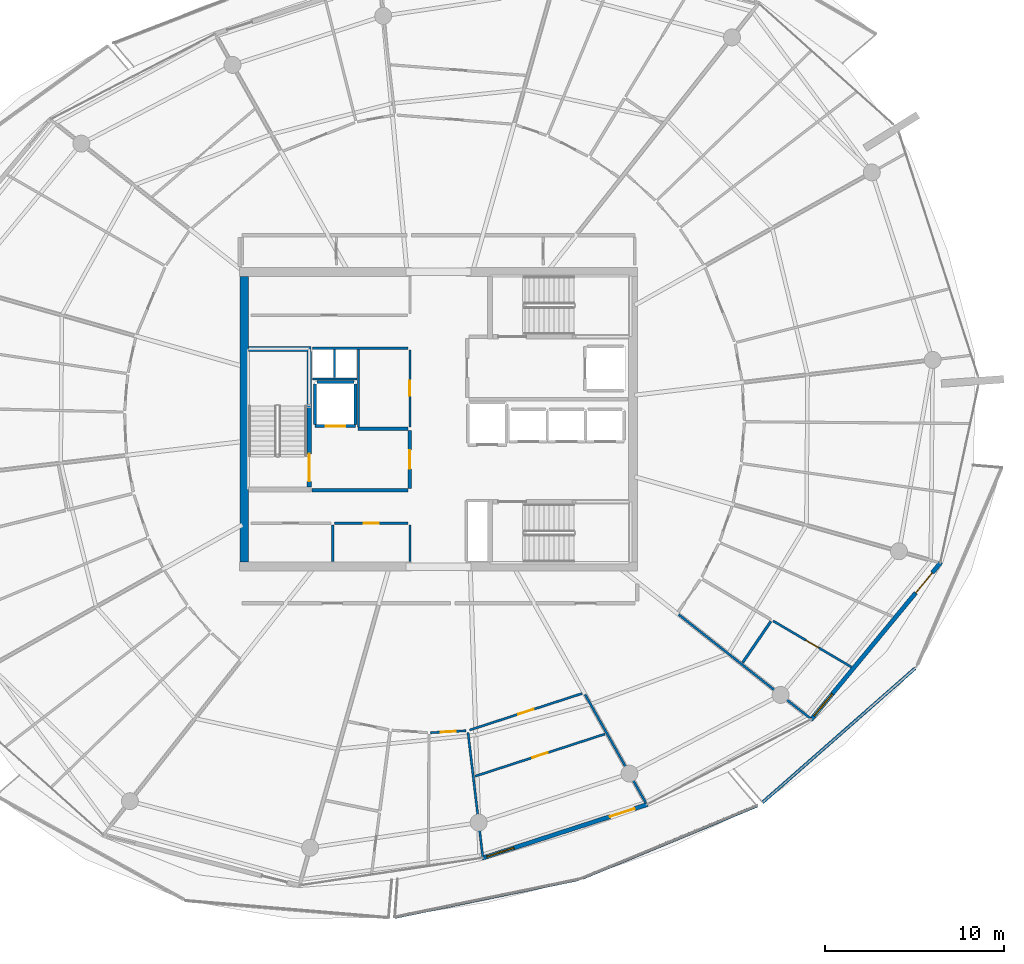
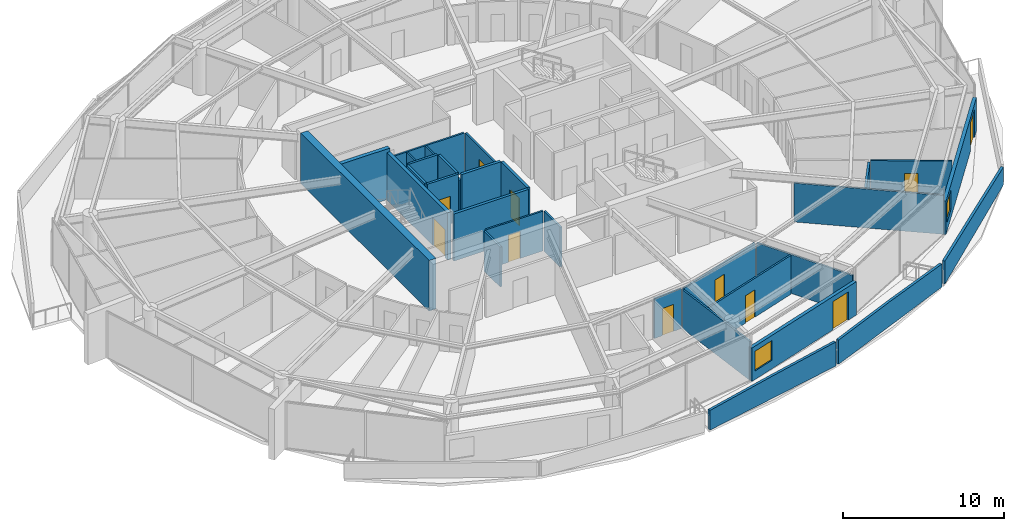
# One storey, part 19 of 30: 31 walls, 11 doors, 2 windows, 13 openings.
"""IFC4 building model written with IfcOpenShell, lengths in metres."""

from ifc_helpers import new_model, si_unit, direction, frame, frame_2d, origin, place, context, subcontext, project, spatial, polyline, rectangle, outline, extrude, material, layer, layer_set, type_object, element, fill, save


model = new_model("IFC4")

# Units and contexts
model_context = context("Model", 3, precision=1e-05, world=origin(), true_north=direction((0.0, 1.0)))
body_context = subcontext(model_context, "Body", "Model", "MODEL_VIEW")
ifc_project = project(units=[si_unit("LENGTHUNIT", "METRE"), si_unit("AREAUNIT", "SQUARE_METRE"), si_unit("VOLUMEUNIT", "CUBIC_METRE"), si_unit("PLANEANGLEUNIT", "RADIAN"), si_unit("MASSUNIT", "GRAM", prefix="KILO")], contexts=[model_context])

# Site, building, storey
site_placement = place(None, origin())
site = spatial("IfcSite", under=ifc_project, at=site_placement, CompositionType="ELEMENT")
building_placement = place(site_placement, origin())
building = spatial("IfcBuilding", under=site, at=building_placement, Name="Kazma Halo Residences", CompositionType="ELEMENT")
storey_placement = place(building_placement, frame((0.0, 0.0, 290.60009765625)))
storey = spatial("IfcBuildingStorey", under=building, at=storey_placement, Name="L73", CompositionType="ELEMENT", Elevation=290.60009765625)

# Walls
ifc_material_1 = material(Name="White Concrete C50/60 Balustrade", Category="concrete")
ifc_layer_1 = layer(ifc_material_1, 0.179931640625)
ifc_layer_set_1 = layer_set([ifc_layer_1], Name="White Concrete C50/60 Balustrade")
wall_type_1 = type_object("IfcWallType", Name="WL-BAL-WAVE-180", PredefinedType="PARAPET", material=ifc_layer_set_1)
wall_1_placement = place(storey_placement, frame((45.97900390625, 14.14453125, 0.0), z_axis=(0.0, 0.0, 1.0), x_axis=(0.979472745479, 0.201576637692, 0.0)))
element("IfcWall", 1, at=wall_1_placement, inside=storey, type_object=wall_type_1, Name="L73 white wave balustrade wall SSE.1", PredefinedType="PARAPET", context=body_context, shape_type="SweptSolid", body=[
    extrude(outline(polyline([(0.0, 0.0), (10.475341796875, 0.0), (10.4755859375, 1.831787109375), (5.23779296875, 1.69580078125), (0.0, 1.496826171875), (0.0, 0.0)])), frame((0.0, 0.08984375, 0.0), z_axis=(0.0, -1.0, 0.0), x_axis=(1.0, 0.0, 0.0)), (0.0, 0.0, 1.0), 0.179931640625),
])
wall_2_placement = place(storey_placement, frame((56.4677734375, 16.326416015625, 0.0), z_axis=(0.0, 0.0, 1.0), x_axis=(0.92394906856, 0.382515514336, 0.0)))
element("IfcWall", 2, at=wall_2_placement, inside=storey, type_object=wall_type_1, Name="L73 white wave balustrade wall SSE.2", PredefinedType="PARAPET", context=body_context, shape_type="SweptSolid", body=[
    extrude(outline(polyline([(0.0, 0.0), (10.580322265625, 0.0), (10.580322265625, 1.755859375), (5.290283203125, 1.852783203125), (0.0, 1.831787109375), (0.0, 0.0)])), frame((0.0, 0.08984375, 0.0), z_axis=(0.0, -1.0, 0.0), x_axis=(1.0, 0.0, 0.0)), (0.0, 0.0, 1.0), 0.179931640625),
])
wall_3_placement = place(storey_placement, frame((66.54833984375, 20.54931640625, 0.0), z_axis=(0.0, 0.0, 1.0), x_axis=(0.750904489888, 0.660410816891, 0.0)))
element("IfcWall", 3, at=wall_3_placement, inside=storey, type_object=wall_type_1, Name="L73 white wave balustrade wall SE.1", PredefinedType="PARAPET", context=body_context, shape_type="SweptSolid", body=[
    extrude(outline(polyline([(0.0, 0.0), (11.385009765625, 0.0), (11.385009765625, 1.347900390625), (5.6923828125, 1.56201171875), (0.0, 1.746826171875), (0.0, 0.0)])), frame((0.0, 0.08984375, 0.0), z_axis=(0.0, -1.0, 0.0), x_axis=(1.0, 0.0, 0.0)), (0.0, 0.0, 1.0), 0.179931640625),
])
ifc_material_2 = material(Name="Concrete C60/75", Category="concrete")
ifc_layer_2 = layer(ifc_material_2, 0.5)
ifc_layer_set_2 = layer_set([ifc_layer_2], Name="Concrete C60/75")
wall_type_2 = type_object("IfcWallType", Name="WL-CORE-500", PredefinedType="SHEAR", material=ifc_layer_set_2)
wall_4_placement = place(storey_placement, frame((37.550048828125, 34.0, 0.0), z_axis=(0.0, 0.0, 1.0), x_axis=(0.0, 1.0, 0.0)))
element("IfcWall", 4, at=wall_4_placement, inside=storey, type_object=wall_type_2, Name="L73 central core shear wall W", PredefinedType="SHEAR", context=body_context, shape_type="SweptSolid", body=[
    extrude(rectangle(XDim=16.0, YDim=0.5, at=frame_2d((8.0, 0.0))), origin(), (0.0, 0.0, 1.0), 3.849853515625),
])
ifc_layer_3 = layer(ifc_material_2, 0.280029296875)
ifc_layer_set_3 = layer_set([ifc_layer_3], Name="Concrete C60/75")
wall_type_3 = type_object("IfcWallType", Name="WL-CORE-ST-280", PredefinedType="SHEAR", material=ifc_layer_set_3)
wall_5_placement = place(storey_placement, frame((37.800048828125, 45.93994140625, 0.0), z_axis=(0.0, 0.0, 1.0), x_axis=(1.0, 0.0, 0.0)))
element("IfcWall", 5, at=wall_5_placement, inside=storey, type_object=wall_type_3, Name="L73 stairwell bearing wall ST01-N", PredefinedType="SHEAR", context=body_context, shape_type="SweptSolid", body=[
    extrude(rectangle(XDim=3.5, YDim=0.280029296875, at=frame_2d((1.75, 0.0))), origin(), (0.0, 0.0, 1.0), 3.849853515625),
])

# Wall, openings, door, window
ifc_material_3 = material(Name="Insulated Pale-Metal Composite Wall")
ifc_layer_4 = layer(ifc_material_3, 0.239990234375)
ifc_layer_set_4 = layer_set([ifc_layer_4], Name="Insulated Pale-Metal Composite Wall")
wall_type_4 = type_object("IfcWallType", Name="WL-EXT-HOST-240", PredefinedType="SOLIDWALL", material=ifc_layer_set_4)
wall_6_placement = place(storey_placement, frame((50.85791015625, 17.436279296875, 0.0), z_axis=(0.0, 0.0, 1.0), x_axis=(0.951055974609, 0.309018661507, 0.0)))
wall_6 = element("IfcWall", 6, at=wall_6_placement, inside=storey, type_object=wall_type_4, Name="L73 exterior terrace-access wall B12", PredefinedType="SOLIDWALL", context=body_context, shape_type="SweptSolid", body=[
    extrude(rectangle(XDim=9.745361328125, YDim=0.239990234375, at=frame_2d((4.87255859375, 0.0))), origin(), (0.0, 0.0, 1.0), 2.539794921875),
])
opening_1_placement = place(wall_6_placement, frame((7.525390625, 0.0, 0.0)))
opening_1 = element("IfcOpeningElement", 7, at=opening_1_placement, cuts=wall_6, Name="Opening DTR-1600", PredefinedType="OPENING", context=body_context, shape_type="SweptSolid", body=[
    extrude(rectangle(XDim=1.449951171875, YDim=2.14990234375, at=frame_2d((0.72509765625, 1.074951171875))), frame((0.0, 0.1298828125, 0.0), z_axis=(0.0, -1.0, 0.0), x_axis=(1.0, 0.0, 0.0)), (0.0, 0.0, 1.0), 0.260009765625),
])
opening_2_placement = place(wall_6_placement, frame((0.280029296875, 0.0, 0.64990234375)))
opening_2 = element("IfcOpeningElement", 8, at=opening_2_placement, cuts=wall_6, Name="Opening W-1800", PredefinedType="OPENING", context=body_context, shape_type="SweptSolid", body=[
    extrude(rectangle(XDim=1.60009765625, YDim=1.5, at=frame_2d((0.800048828125, 0.75))), frame((0.0, 0.1298828125, 0.0), z_axis=(0.0, -1.0, 0.0), x_axis=(1.0, 0.0, 0.0)), (0.0, 0.0, 1.0), 0.260009765625),
])
ifc_material_4 = material(Name="Aluminium AW-6063 T6 Double-Glazed Terrace Door", Category="aluminium")
door_type_1 = type_object("IfcDoorType", Name="DR-EXT-TERR-1600", OperationType="NOTDEFINED", PredefinedType="DOOR", material=ifc_material_4)
door_1_placement = place(opening_1_placement, origin())
door_1 = element("IfcDoor", 9, at=door_1_placement, inside=storey, type_object=door_type_1, Name="L73 B12 balcony terrace door", OperationType="DOUBLE_DOOR_SLIDING", OverallHeight=2.14990234375, OverallWidth=1.449951171875, PredefinedType="DOOR", context=body_context, shape_type="SweptSolid", body=[
    extrude(rectangle(XDim=1.449951171875, YDim=2.14990234375, at=frame_2d((0.72509765625, 1.074951171875))), frame((0.0, 0.02490234375, 0.0), z_axis=(0.0, -1.0, 0.0), x_axis=(1.0, 0.0, 0.0)), (0.0, 0.0, 1.0), 0.050048828125),
])
fill(opening_1, door_1)
ifc_material_5 = material(Name="Clear Triple-Silver Low-E Glass in Aluminium AW-6063 T6 Frame", Category="aluminium")
window_type = type_object("IfcWindowType", Name="WIN-RES-1800", PartitioningType="DOUBLE_PANEL_VERTICAL", PredefinedType="WINDOW", material=ifc_material_5)
window_1_placement = place(opening_2_placement, origin())
window_1 = element("IfcWindow", 10, at=window_1_placement, inside=storey, type_object=window_type, Name="L73 B12 apartment window", OverallHeight=1.5, OverallWidth=1.60009765625, PartitioningType="SINGLE_PANEL", PredefinedType="WINDOW", context=body_context, shape_type="SweptSolid", body=[
    extrude(rectangle(XDim=1.60009765625, YDim=1.5, at=frame_2d((0.800048828125, 0.75))), frame((0.0, 0.030029296875, 0.0), z_axis=(0.0, -1.0, 0.0), x_axis=(1.0, 0.0, 0.0)), (0.0, 0.0, 1.0), 0.06005859375),
])
fill(opening_2, window_1)

wall_7_placement = place(storey_placement, frame((69.2578125, 25.177978515625, 0.0), z_axis=(0.0, 0.0, 1.0), x_axis=(0.636680093065, 0.771128043255, 0.0)))
wall_7 = element("IfcWall", 11, at=wall_7_placement, inside=storey, type_object=wall_type_4, Name="L73 exterior terrace-access wall B14", PredefinedType="SOLIDWALL", context=body_context, shape_type="SweptSolid", body=[
    extrude(rectangle(XDim=11.438232421875, YDim=0.239990234375, at=frame_2d((5.71923828125, 0.0))), origin(), (0.0, 0.0, 1.0), 2.539794921875),
])
opening_3_placement = place(wall_7_placement, frame((9.21826171875, 0.0, 0.0)))
opening_3 = element("IfcOpeningElement", 12, at=opening_3_placement, cuts=wall_7, Name="Opening DTR-1600", PredefinedType="OPENING", context=body_context, shape_type="SweptSolid", body=[
    extrude(rectangle(XDim=1.449951171875, YDim=2.14990234375, at=frame_2d((0.72509765625, 1.074951171875))), frame((0.0, 0.1298828125, 0.0), z_axis=(0.0, -1.0, 0.0), x_axis=(1.0, 0.0, 0.0)), (0.0, 0.0, 1.0), 0.260009765625),
])
opening_4_placement = place(wall_7_placement, frame((0.280029296875, 0.0, 0.64990234375)))
opening_4 = element("IfcOpeningElement", 13, at=opening_4_placement, cuts=wall_7, Name="Opening W-1800", PredefinedType="OPENING", context=body_context, shape_type="SweptSolid", body=[
    extrude(rectangle(XDim=1.60009765625, YDim=1.5, at=frame_2d((0.800048828125, 0.75))), frame((0.0, 0.1298828125, 0.0), z_axis=(0.0, -1.0, 0.0), x_axis=(1.0, 0.0, 0.0)), (0.0, 0.0, 1.0), 0.260009765625),
])
door_2_placement = place(opening_3_placement, origin())
door_2 = element("IfcDoor", 14, at=door_2_placement, inside=storey, type_object=door_type_1, Name="L73 B14 balcony terrace door", OperationType="DOUBLE_DOOR_SLIDING", OverallHeight=2.14990234375, OverallWidth=1.449951171875, PredefinedType="DOOR", context=body_context, shape_type="SweptSolid", body=[
    extrude(rectangle(XDim=1.449951171875, YDim=2.14990234375, at=frame_2d((0.72509765625, 1.074951171875))), frame((0.0, 0.02490234375, 0.0), z_axis=(0.0, -1.0, 0.0), x_axis=(1.0, 0.0, 0.0)), (0.0, 0.0, 1.0), 0.050048828125),
])
fill(opening_3, door_2)
window_2_placement = place(opening_4_placement, origin())
window_2 = element("IfcWindow", 15, at=window_2_placement, inside=storey, type_object=window_type, Name="L73 B14 apartment window", OverallHeight=1.5, OverallWidth=1.60009765625, PartitioningType="SINGLE_PANEL", PredefinedType="WINDOW", context=body_context, shape_type="SweptSolid", body=[
    extrude(rectangle(XDim=1.60009765625, YDim=1.5, at=frame_2d((0.800048828125, 0.75))), frame((0.0, 0.030029296875, 0.0), z_axis=(0.0, -1.0, 0.0), x_axis=(1.0, 0.0, 0.0)), (0.0, 0.0, 1.0), 0.06005859375),
])
fill(opening_4, window_2)

# Wall, opening, door
ifc_material_6 = material(Name="Fire-Rated Blockwork Masonry", Category="masonry")
ifc_layer_5 = layer(ifc_material_6, 0.199951171875)
ifc_layer_set_5 = layer_set([ifc_layer_5], Name="Fire-Rated Blockwork Masonry")
wall_type_5 = type_object("IfcWallType", Name="WL-FLB-200", PredefinedType="PARTITIONING", material=ifc_layer_set_5)
wall_8_placement = place(storey_placement, frame((43.780029296875, 41.6201171875, 0.0), z_axis=(0.0, 0.0, 1.0), x_axis=(-1.0, 0.0, 0.0)))
wall_8 = element("IfcWall", 16, at=wall_8_placement, inside=storey, type_object=wall_type_5, Name="L73 lift shaft FL-01 front wall", PredefinedType="PARTITIONING", context=body_context, shape_type="SweptSolid", body=[
    extrude(rectangle(XDim=2.260009765625, YDim=0.159912109375, at=frame_2d((1.1298828125, 0.0))), origin(), (0.0, 0.0, 1.0), 3.58984375),
])
opening_5_placement = place(wall_8_placement, frame((0.580078125, 0.0, 0.0)))
opening_5 = element("IfcOpeningElement", 17, at=opening_5_placement, cuts=wall_8, Name="Opening LD-FL-01", PredefinedType="OPENING", context=body_context, shape_type="SweptSolid", body=[
    extrude(rectangle(XDim=1.10009765625, YDim=2.10009765625, at=frame_2d((0.550048828125, 1.050048828125))), frame((0.0, 0.08984375, 0.0), z_axis=(0.0, -1.0, 0.0), x_axis=(1.0, 0.0, 0.0)), (0.0, 0.0, 1.0), 0.179931640625),
])
ifc_material_7 = material(Name="Stainless Steel Fire-Rated", Category="steel")
door_type_2 = type_object("IfcDoorType", Name="DR-LIFT-SLD-1100", OperationType="DOUBLE_DOOR_SLIDING", PredefinedType="DOOR", material=ifc_material_7)
door_3_placement = place(opening_5_placement, origin())
door_3 = element("IfcDoor", 18, at=door_3_placement, inside=storey, type_object=door_type_2, Name="L73 lift FL-01 sliding landing door", OperationType="DOUBLE_DOOR_SLIDING", OverallHeight=2.10009765625, OverallWidth=1.10009765625, PredefinedType="DOOR", context=body_context, shape_type="SweptSolid", body=[
    extrude(rectangle(XDim=1.10009765625, YDim=2.10009765625, at=frame_2d((0.550048828125, 1.050048828125))), frame((0.0, 0.02490234375, 0.0), z_axis=(0.0, -1.0, 0.0), x_axis=(1.0, 0.0, 0.0)), (0.0, 0.0, 1.0), 0.050048828125),
])
fill(opening_5, door_3)

# Walls
for number, where, z_axis, x_axis, name in (
    (19, (43.780029296875, 41.719970703125, 0.0), (0.0, 0.0, 1.0), (0.0, 1.0, 0.0), "L73 lift shaft FL-01 side wall E"),
    (20, (41.52001953125, 41.719970703125, 0.0), (0.0, 0.0, 1.0), (0.0, 1.0, 0.0), "L73 lift shaft FL-01 side wall W"),
):
    element("IfcWall", number, at=place(storey_placement, frame(where, z_axis=z_axis, x_axis=x_axis)), inside=storey, type_object=wall_type_5, Name=name, PredefinedType="PARTITIONING", context=body_context, shape_type="SweptSolid", body=[
        extrude(rectangle(XDim=2.260009765625, YDim=0.159912109375, at=frame_2d((1.1298828125, 0.0))), origin(), (0.0, 0.0, 1.0), 3.58984375),
    ])
wall_9_placement = place(storey_placement, frame((41.6201171875, 44.080078125, 0.0), z_axis=(0.0, 0.0, 1.0), x_axis=(1.0, 0.0, 0.0)))
element("IfcWall", 21, at=wall_9_placement, inside=storey, type_object=wall_type_5, Name="L73 lift shaft FL-01 side wall N", PredefinedType="PARTITIONING", context=body_context, shape_type="SweptSolid", body=[
    extrude(rectangle(XDim=2.059814453125, YDim=0.159912109375, at=frame_2d((1.02978515625, 0.0))), origin(), (0.0, 0.0, 1.0), 3.58984375),
])
wall_10_placement = place(storey_placement, frame((41.35009765625, 38.02001953125, 0.0), z_axis=(0.0, 0.0, 1.0), x_axis=(1.0, 0.0, 0.0)))
element("IfcWall", 22, at=wall_10_placement, inside=storey, type_object=wall_type_5, Name="L73 west firefighting lobby south smoke wall", PredefinedType="PARTITIONING", context=body_context, shape_type="SweptSolid", body=[
    extrude(rectangle(XDim=5.369873046875, YDim=0.199951171875, at=frame_2d((2.68505859375, 0.0))), origin(), (0.0, 0.0, 1.0), 3.58984375),
])
wall_11_placement = place(storey_placement, frame((43.919921875, 41.47998046875, 0.0), z_axis=(0.0, 0.0, 1.0), x_axis=(1.0, 0.0, 0.0)))
element("IfcWall", 23, at=wall_11_placement, inside=storey, type_object=wall_type_5, Name="L73 west firefighting lobby north smoke wall", PredefinedType="PARTITIONING", context=body_context, shape_type="SweptSolid", body=[
    extrude(rectangle(XDim=2.800048828125, YDim=0.199951171875, at=frame_2d((1.39990234375, 0.0))), origin(), (0.0, 0.0, 1.0), 3.58984375),
])

# Wall, opening, door
wall_12_placement = place(storey_placement, frame((46.820068359375, 38.1201171875, 0.0), z_axis=(0.0, 0.0, 1.0), x_axis=(0.0, 1.0, 0.0)))
wall_12 = element("IfcWall", 24, at=wall_12_placement, inside=storey, type_object=wall_type_5, Name="L73 west firefighting lobby smoke wall", PredefinedType="PARTITIONING", context=body_context, shape_type="SweptSolid", body=[
    extrude(rectangle(XDim=3.259765625, YDim=0.199951171875, at=frame_2d((1.6298828125, 0.0))), origin(), (0.0, 0.0, 1.0), 3.58984375),
])
opening_6_placement = place(wall_12_placement, frame((1.10498046875, 0.0, 0.0)))
opening_6 = element("IfcOpeningElement", 25, at=opening_6_placement, cuts=wall_12, Name="Opening D-FLW", PredefinedType="OPENING", context=body_context, shape_type="SweptSolid", body=[
    extrude(rectangle(XDim=1.050048828125, YDim=2.10009765625, at=frame_2d((0.52490234375, 1.050048828125))), frame((0.0, 0.10986328125, 0.0), z_axis=(0.0, -1.0, 0.0), x_axis=(1.0, 0.0, 0.0)), (0.0, 0.0, 1.0), 0.219970703125),
])
ifc_material_8 = material(Name="Fire-Rated Steel Leaf", Category="steel")
door_type_3 = type_object("IfcDoorType", Name="DR-FD90-1050", OperationType="NOTDEFINED", PredefinedType="DOOR", material=ifc_material_8)
door_4_placement = place(opening_6_placement, origin())
door_4 = element("IfcDoor", 26, at=door_4_placement, inside=storey, type_object=door_type_3, Name="L73 west firefighting lobby smoke door", OperationType="SINGLE_SWING_RIGHT", OverallHeight=2.10009765625, OverallWidth=1.050048828125, PredefinedType="DOOR", context=body_context, shape_type="SweptSolid", body=[
    extrude(rectangle(XDim=1.050048828125, YDim=2.10009765625, at=frame_2d((0.52490234375, 1.050048828125))), frame((0.0, 0.02490234375, 0.0), z_axis=(0.0, -1.0, 0.0), x_axis=(1.0, 0.0, 0.0)), (0.0, 0.0, 1.0), 0.050048828125),
])
fill(opening_6, door_4)

# Walls
ifc_material_9 = material(Name="Gypsum Plasterboard Partition")
ifc_layer_6 = layer(ifc_material_9, 0.125)
ifc_layer_set_6 = layer_set([ifc_layer_6], Name="Gypsum Plasterboard Partition")
wall_type_6 = type_object("IfcWallType", Name="WL-PART-125", PredefinedType="PARTITIONING", material=ifc_layer_set_6)
for number, where, z_axis, x_axis, name in (
    (27, (46.820068359375, 34.050048828125, 0.0), (0.0, 0.0, 1.0), (0.0, 1.0, 0.0), "L73 reclaimed south east wall"),
    (28, (42.5, 34.050048828125, 0.0), (0.0, 0.0, 1.0), (0.0, 1.0, 0.0), "L73 reclaimed south divider wall"),
):
    element("IfcWall", number, at=place(storey_placement, frame(where, z_axis=z_axis, x_axis=x_axis)), inside=storey, type_object=wall_type_6, Name=name, PredefinedType="PARTITIONING", context=body_context, shape_type="SweptSolid", body=[
        extrude(rectangle(XDim=2.030029296875, YDim=0.125, at=frame_2d((1.01513671875, 0.0))), origin(), (0.0, 0.0, 1.0), 3.02978515625),
    ])

# Wall, opening, door
wall_13_placement = place(storey_placement, frame((42.60009765625, 36.179931640625, 0.0), z_axis=(0.0, 0.0, 1.0), x_axis=(1.0, 0.0, 0.0)))
wall_13 = element("IfcWall", 29, at=wall_13_placement, inside=storey, type_object=wall_type_6, Name="L73 reclaimed south E front wall", PredefinedType="PARTITIONING", context=body_context, shape_type="SweptSolid", body=[
    extrude(rectangle(XDim=4.119873046875, YDim=0.125, at=frame_2d((2.06005859375, 0.0))), origin(), (0.0, 0.0, 1.0), 3.02978515625),
])
opening_7_placement = place(wall_13_placement, frame((1.635009765625, 0.0, 0.0)))
opening_7 = element("IfcOpeningElement", 30, at=opening_7_placement, cuts=wall_13, Name="Opening DS-850", PredefinedType="OPENING", context=body_context, shape_type="SweptSolid", body=[
    extrude(rectangle(XDim=0.85009765625, YDim=2.06005859375, at=frame_2d((0.425048828125, 1.030029296875))), frame((0.0, 0.072509765625, 0.0), z_axis=(0.0, -1.0, 0.0), x_axis=(1.0, 0.0, 0.0)), (0.0, 0.0, 1.0), 0.14501953125),
])
ifc_material_10 = material(Name="Painted Steel Access Leaf", Category="steel")
door_type_4 = type_object("IfcDoorType", Name="DR-SVC-850", OperationType="NOTDEFINED", PredefinedType="DOOR", material=ifc_material_10)
door_5_placement = place(opening_7_placement, origin())
door_5 = element("IfcDoor", 31, at=door_5_placement, inside=storey, type_object=door_type_4, Name="L73 reclaimed south E door", OperationType="SINGLE_SWING_LEFT", OverallHeight=2.06005859375, OverallWidth=0.85009765625, PredefinedType="DOOR", context=body_context, shape_type="SweptSolid", body=[
    extrude(rectangle(XDim=0.85009765625, YDim=2.06005859375, at=frame_2d((0.425048828125, 1.030029296875))), frame((0.0, 0.02490234375, 0.0), z_axis=(0.0, -1.0, 0.0), x_axis=(1.0, 0.0, 0.0)), (0.0, 0.0, 1.0), 0.050048828125),
])
fill(opening_7, door_5)

# Walls
wall_14_placement = place(storey_placement, frame((41.360107421875, 45.97998046875, 0.0), z_axis=(0.0, 0.0, 1.0), x_axis=(1.0, 0.0, 0.0)))
element("IfcWall", 32, at=wall_14_placement, inside=storey, type_object=wall_type_6, Name="L73 core north riser wall", PredefinedType="PARTITIONING", context=body_context, shape_type="SweptSolid", body=[
    extrude(rectangle(XDim=5.35986328125, YDim=0.125, at=frame_2d((2.679931640625, 0.0))), origin(), (0.0, 0.0, 1.0), 3.02978515625),
])
wall_15_placement = place(storey_placement, frame((41.360107421875, 44.260009765625, 0.0), z_axis=(0.0, 0.0, 1.0), x_axis=(1.0, 0.0, 0.0)))
element("IfcWall", 33, at=wall_15_placement, inside=storey, type_object=wall_type_6, Name="L73 core riser south wall", PredefinedType="PARTITIONING", context=body_context, shape_type="SweptSolid", body=[
    extrude(rectangle(XDim=2.5, YDim=0.125, at=frame_2d((1.25, 0.0))), origin(), (0.0, 0.0, 1.0), 3.02978515625),
])
wall_16_placement = place(storey_placement, frame((42.60009765625, 44.35009765625, 0.0), z_axis=(0.0, 0.0, 1.0), x_axis=(0.0, 1.0, 0.0)))
element("IfcWall", 34, at=wall_16_placement, inside=storey, type_object=wall_type_6, Name="L73 core riser divider wall", PredefinedType="PARTITIONING", context=body_context, shape_type="SweptSolid", body=[
    extrude(rectangle(XDim=1.5498046875, YDim=0.125, at=frame_2d((0.77490234375, 0.0))), origin(), (0.0, 0.0, 1.0), 3.02978515625),
])
wall_17_placement = place(storey_placement, frame((43.949951171875, 41.580078125, 0.0), z_axis=(0.0, 0.0, 1.0), x_axis=(0.0, 1.0, 0.0)))
element("IfcWall", 35, at=wall_17_placement, inside=storey, type_object=wall_type_6, Name="L73 core service west wall", PredefinedType="PARTITIONING", context=body_context, shape_type="SweptSolid", body=[
    extrude(rectangle(XDim=4.31982421875, YDim=0.125, at=frame_2d((2.159912109375, 0.0))), origin(), (0.0, 0.0, 1.0), 3.02978515625),
])

# Wall, opening, door
wall_18_placement = place(storey_placement, frame((46.820068359375, 41.580078125, 0.0), z_axis=(0.0, 0.0, 1.0), x_axis=(0.0, 1.0, 0.0)))
wall_18 = element("IfcWall", 36, at=wall_18_placement, inside=storey, type_object=wall_type_6, Name="L73 core service room east wall", PredefinedType="PARTITIONING", context=body_context, shape_type="SweptSolid", body=[
    extrude(rectangle(XDim=4.2998046875, YDim=0.125, at=frame_2d((2.14990234375, 0.0))), origin(), (0.0, 0.0, 1.0), 3.02978515625),
])
opening_8_placement = place(wall_18_placement, frame((1.72509765625, 0.0, 0.0)))
opening_8 = element("IfcOpeningElement", 37, at=opening_8_placement, cuts=wall_18, Name="Opening DS-850", PredefinedType="OPENING", context=body_context, shape_type="SweptSolid", body=[
    extrude(rectangle(XDim=0.85009765625, YDim=2.06005859375, at=frame_2d((0.425048828125, 1.030029296875))), frame((0.0, 0.072509765625, 0.0), z_axis=(0.0, -1.0, 0.0), x_axis=(1.0, 0.0, 0.0)), (0.0, 0.0, 1.0), 0.14501953125),
])
door_6_placement = place(opening_8_placement, origin())
door_6 = element("IfcDoor", 38, at=door_6_placement, inside=storey, type_object=door_type_4, Name="L73 core service room door", OperationType="SINGLE_SWING_RIGHT", OverallHeight=2.06005859375, OverallWidth=0.85009765625, PredefinedType="DOOR", context=body_context, shape_type="SweptSolid", body=[
    extrude(rectangle(XDim=0.85009765625, YDim=2.06005859375, at=frame_2d((0.425048828125, 1.030029296875))), frame((0.0, 0.02490234375, 0.0), z_axis=(0.0, -1.0, 0.0), x_axis=(1.0, 0.0, 0.0)), (0.0, 0.0, 1.0), 0.050048828125),
])
fill(opening_8, door_6)

wall_19_placement = place(storey_placement, frame((47.97314453125, 24.458740234375, 0.0), z_axis=(0.0, 0.0, 1.0), x_axis=(0.998437647815, 0.055877217404, 0.0)))
wall_19 = element("IfcWall", 39, at=wall_19_placement, inside=storey, type_object=wall_type_6, Name="L73 Apartment 2 Primary Bedroom hall wall", PredefinedType="PARTITIONING", context=body_context, shape_type="SweptSolid", body=[
    extrude(rectangle(XDim=1.992431640625, YDim=0.125, at=frame_2d((0.99609375, 0.0))), origin(), (0.0, 0.0, 1.0), 3.02978515625),
])
opening_9_placement = place(wall_19_placement, frame((0.5712890625, 0.0, 0.0)))
opening_9 = element("IfcOpeningElement", 40, at=opening_9_placement, cuts=wall_19, Name="Opening DB-900", PredefinedType="OPENING", context=body_context, shape_type="SweptSolid", body=[
    extrude(rectangle(XDim=0.85009765625, YDim=2.06005859375, at=frame_2d((0.425048828125, 1.030029296875))), frame((0.0, 0.072509765625, 0.0), z_axis=(0.0, -1.0, 0.0), x_axis=(1.0, 0.0, 0.0)), (0.0, 0.0, 1.0), 0.14501953125),
])
ifc_material_11 = material(Name="Moisture-Sealed Timber Leaf", Category="wood")
door_type_5 = type_object("IfcDoorType", Name="DR-BTH-900", OperationType="NOTDEFINED", PredefinedType="DOOR", material=ifc_material_11)
door_7_placement = place(opening_9_placement, origin())
door_7 = element("IfcDoor", 41, at=door_7_placement, inside=storey, type_object=door_type_5, Name="L73 Apartment 2 Primary Bedroom door", OperationType="SINGLE_SWING_LEFT", OverallHeight=2.06005859375, OverallWidth=0.85009765625, PredefinedType="DOOR", context=body_context, shape_type="SweptSolid", body=[
    extrude(rectangle(XDim=0.85009765625, YDim=2.06005859375, at=frame_2d((0.425048828125, 1.030029296875))), frame((0.0, 0.02490234375, 0.0), z_axis=(0.0, -1.0, 0.0), x_axis=(1.0, 0.0, 0.0)), (0.0, 0.0, 1.0), 0.050048828125),
])
fill(opening_9, door_7)

# Walls
wall_20_placement = place(storey_placement, frame((50.07421875, 24.476318359375, 0.0), z_axis=(0.0, 0.0, 1.0), x_axis=(0.117522488278, -0.993070221459, 0.0)))
element("IfcWall", 42, at=wall_20_placement, inside=storey, type_object=wall_type_6, Name="L73 Apartment 2 radial partition 11", PredefinedType="PARTITIONING", context=body_context, shape_type="SweptSolid", body=[
    extrude(rectangle(XDim=7.048583984375, YDim=0.125, at=frame_2d((3.5244140625, 0.0))), origin(), (0.0, 0.0, 1.0), 2.956787109375),
])
wall_21_placement = place(storey_placement, frame((56.622314453125, 26.60400390625, 0.0), z_axis=(0.0, 0.0, 1.0), x_axis=(0.488617277218, -0.872498227164, 0.0)))
element("IfcWall", 43, at=wall_21_placement, inside=storey, type_object=wall_type_6, Name="L73 Apartment 2 living radial partition 11", PredefinedType="PARTITIONING", context=body_context, shape_type="SweptSolid", body=[
    extrude(rectangle(XDim=6.94873046875, YDim=0.125, at=frame_2d((3.474365234375, 0.0))), origin(), (0.0, 0.0, 1.0), 2.956787109375),
])

# Wall, opening, door
wall_22_placement = place(storey_placement, frame((50.1669921875, 24.609619140625, 0.0), z_axis=(0.0, 0.0, 1.0), x_axis=(0.951054645086, 0.309022753306, 0.0)))
wall_22 = element("IfcWall", 44, at=wall_22_placement, inside=storey, type_object=wall_type_6, Name="L73 Apartment 2 East Study hall wall", PredefinedType="PARTITIONING", context=body_context, shape_type="SweptSolid", body=[
    extrude(rectangle(XDim=6.6259765625, YDim=0.125, at=frame_2d((3.31298828125, 0.0))), origin(), (0.0, 0.0, 1.0), 2.956787109375),
])
opening_10_placement = place(wall_22_placement, frame((2.863037109375, 0.0, 0.0)))
opening_10 = element("IfcOpeningElement", 45, at=opening_10_placement, cuts=wall_22, Name="Opening DI-950", PredefinedType="OPENING", context=body_context, shape_type="SweptSolid", body=[
    extrude(rectangle(XDim=0.89990234375, YDim=2.080078125, at=frame_2d((0.449951171875, 1.0400390625))), frame((0.0, 0.072509765625, 0.0), z_axis=(0.0, -1.0, 0.0), x_axis=(1.0, 0.0, 0.0)), (0.0, 0.0, 1.0), 0.14501953125),
])
ifc_material_12 = material(Name="Timber Veneer Flush Leaf", Category="wood")
door_type_6 = type_object("IfcDoorType", Name="DR-INT-950", OperationType="NOTDEFINED", PredefinedType="DOOR", material=ifc_material_12)
door_8_placement = place(opening_10_placement, origin())
door_8 = element("IfcDoor", 46, at=door_8_placement, inside=storey, type_object=door_type_6, Name="L73 Apartment 2 East Study door", OperationType="SINGLE_SWING_LEFT", OverallHeight=2.080078125, OverallWidth=0.89990234375, PredefinedType="DOOR", context=body_context, shape_type="SweptSolid", body=[
    extrude(rectangle(XDim=0.89990234375, YDim=2.080078125, at=frame_2d((0.449951171875, 1.0400390625))), frame((0.0, 0.02490234375, 0.0), z_axis=(0.0, -1.0, 0.0), x_axis=(1.0, 0.0, 0.0)), (0.0, 0.0, 1.0), 0.050048828125),
])
fill(opening_10, door_8)

wall_23_placement = place(storey_placement, frame((50.472900390625, 22.024658203125, 0.0), z_axis=(0.0, 0.0, 1.0), x_axis=(0.951058483557, 0.309010939699, 0.0)))
wall_23 = element("IfcWall", 47, at=wall_23_placement, inside=storey, type_object=wall_type_6, Name="L73 Apartment 2 West Master Bedroom divider wall", PredefinedType="PARTITIONING", context=body_context, shape_type="SweptSolid", body=[
    extrude(rectangle(XDim=7.6416015625, YDim=0.125, at=frame_2d((3.82080078125, 0.0))), origin(), (0.0, 0.0, 1.0), 2.956787109375),
])
opening_11_placement = place(wall_23_placement, frame((3.370849609375, 0.0, 0.0)))
opening_11 = element("IfcOpeningElement", 48, at=opening_11_placement, cuts=wall_23, Name="Opening DI-950", PredefinedType="OPENING", context=body_context, shape_type="SweptSolid", body=[
    extrude(rectangle(XDim=0.89990234375, YDim=2.080078125, at=frame_2d((0.449951171875, 1.0400390625))), frame((0.0, 0.072509765625, 0.0), z_axis=(0.0, -1.0, 0.0), x_axis=(1.0, 0.0, 0.0)), (0.0, 0.0, 1.0), 0.14501953125),
])
door_9_placement = place(opening_11_placement, origin())
door_9 = element("IfcDoor", 49, at=door_9_placement, inside=storey, type_object=door_type_6, Name="L73 Apartment 2 West Master Bedroom door", OperationType="SINGLE_SWING_RIGHT", OverallHeight=2.080078125, OverallWidth=0.89990234375, PredefinedType="DOOR", context=body_context, shape_type="SweptSolid", body=[
    extrude(rectangle(XDim=0.89990234375, YDim=2.080078125, at=frame_2d((0.449951171875, 1.0400390625))), frame((0.0, 0.02490234375, 0.0), z_axis=(0.0, -1.0, 0.0), x_axis=(1.0, 0.0, 0.0)), (0.0, 0.0, 1.0), 0.050048828125),
])
fill(opening_11, door_9)

# Wall
wall_24_placement = place(storey_placement, frame((61.857666015625, 31.075439453125, 0.0), z_axis=(0.0, 0.0, 1.0), x_axis=(0.785325513659, -0.619083061952, 0.0)))
element("IfcWall", 50, at=wall_24_placement, inside=storey, type_object=wall_type_6, Name="L73 Apartment 2 radial partition 13", PredefinedType="PARTITIONING", context=body_context, shape_type="SweptSolid", body=[
    extrude(rectangle(XDim=9.4384765625, YDim=0.125, at=frame_2d((4.71923828125, 0.0))), origin(), (0.0, 0.0, 1.0), 2.956787109375),
])

# Wall, opening, door
wall_25_placement = place(storey_placement, frame((67.148681640625, 30.716064453125, 0.0), z_axis=(0.0, 0.0, 1.0), x_axis=(0.861535840118, -0.507696756136, 0.0)))
wall_25 = element("IfcWall", 51, at=wall_25_placement, inside=storey, type_object=wall_type_6, Name="L73 Apartment 2 South Walk-In Wardrobe partition wall", PredefinedType="PARTITIONING", context=body_context, shape_type="SweptSolid", body=[
    extrude(rectangle(XDim=5.092041015625, YDim=0.125, at=frame_2d((2.5458984375, 0.0))), origin(), (0.0, 0.0, 1.0), 3.02978515625),
])
opening_12_placement = place(wall_25_placement, frame((2.12109375, 0.0, 0.0)))
opening_12 = element("IfcOpeningElement", 52, at=opening_12_placement, cuts=wall_25, Name="Opening DB-900", PredefinedType="OPENING", context=body_context, shape_type="SweptSolid", body=[
    extrude(rectangle(XDim=0.85009765625, YDim=2.06005859375, at=frame_2d((0.425048828125, 1.030029296875))), frame((0.0, 0.072509765625, 0.0), z_axis=(0.0, -1.0, 0.0), x_axis=(1.0, 0.0, 0.0)), (0.0, 0.0, 1.0), 0.14501953125),
])
door_10_placement = place(opening_12_placement, origin())
door_10 = element("IfcDoor", 53, at=door_10_placement, inside=storey, type_object=door_type_5, Name="L73 Apartment 2 South Walk-In Wardrobe door", OperationType="SINGLE_SWING_RIGHT", OverallHeight=2.06005859375, OverallWidth=0.85009765625, PredefinedType="DOOR", context=body_context, shape_type="SweptSolid", body=[
    extrude(rectangle(XDim=0.85009765625, YDim=2.06005859375, at=frame_2d((0.425048828125, 1.030029296875))), frame((0.0, 0.02490234375, 0.0), z_axis=(0.0, -1.0, 0.0), x_axis=(1.0, 0.0, 0.0)), (0.0, 0.0, 1.0), 0.050048828125),
])
fill(opening_12, door_10)

ifc_material_13 = material(Name="Concrete C50/60", Category="concrete")
ifc_layer_7 = layer(ifc_material_13, 0.25)
ifc_layer_set_7 = layer_set([ifc_layer_7], Name="Concrete C50/60")
wall_type_7 = type_object("IfcWallType", Name="WL-SHF-250", PredefinedType="SOLIDWALL", material=ifc_layer_set_7)
wall_26_placement = place(storey_placement, frame((41.179931640625, 38.219970703125, 0.0), z_axis=(0.0, 0.0, 1.0), x_axis=(0.0, 1.0, 0.0)))
wall_26 = element("IfcWall", 54, at=wall_26_placement, inside=storey, type_object=wall_type_7, Name="L73 exit stair ST-01 enclosure wall", PredefinedType="SOLIDWALL", context=body_context, shape_type="SweptSolid", body=[
    extrude(rectangle(XDim=7.56005859375, YDim=0.25, at=frame_2d((3.780029296875, 0.0))), origin(), (0.0, 0.0, 1.0), 3.58984375),
])
opening_13_placement = place(wall_26_placement, frame((0.300048828125, 0.0, 0.0)))
opening_13 = element("IfcOpeningElement", 55, at=opening_13_placement, cuts=wall_26, Name="Opening D-ST1", PredefinedType="OPENING", context=body_context, shape_type="SweptSolid", body=[
    extrude(rectangle(XDim=1.550048828125, YDim=2.14990234375, at=frame_2d((0.77490234375, 1.074951171875))), frame((0.0, 0.135009765625, 0.0), z_axis=(0.0, -1.0, 0.0), x_axis=(1.0, 0.0, 0.0)), (0.0, 0.0, 1.0), 0.27001953125),
])
ifc_material_14 = material(Name="Fire-Rated Double Steel Leaf", Category="steel")
door_type_7 = type_object("IfcDoorType", Name="DR-FD90-1550", OperationType="NOTDEFINED", PredefinedType="DOOR", material=ifc_material_14)
door_11_placement = place(opening_13_placement, origin())
door_11 = element("IfcDoor", 56, at=door_11_placement, inside=storey, type_object=door_type_7, Name="L73 exit stair ST-01 fire door", OperationType="DOUBLE_DOOR_SINGLE_SWING", OverallHeight=2.14990234375, OverallWidth=1.550048828125, PredefinedType="DOOR", context=body_context, shape_type="SweptSolid", body=[
    extrude(rectangle(XDim=1.550048828125, YDim=2.14990234375, at=frame_2d((0.77490234375, 1.074951171875))), frame((0.0, 0.02490234375, 0.0), z_axis=(0.0, -1.0, 0.0), x_axis=(1.0, 0.0, 0.0)), (0.0, 0.0, 1.0), 0.050048828125),
])
fill(opening_13, door_11)

# Wall
ifc_material_15 = material(Name="Moisture-Resistant Gypsum")
ifc_layer_8 = layer(ifc_material_15, 0.14990234375)
ifc_layer_set_8 = layer_set([ifc_layer_8], Name="Moisture-Resistant Gypsum")
wall_type_8 = type_object("IfcWallType", Name="WL-WET-150", PredefinedType="PARTITIONING", material=ifc_layer_set_8)
wall_27_placement = place(storey_placement, frame((65.440185546875, 28.378173828125, 0.0), z_axis=(0.0, 0.0, 1.0), x_axis=(0.564687043446, 0.82530512113, 0.0)))
element("IfcWall", 57, at=wall_27_placement, inside=storey, type_object=wall_type_8, Name="L73 Apartment 2 North En-Suite Bathroom back wall", PredefinedType="PARTITIONING", context=body_context, shape_type="SweptSolid", body=[
    extrude(rectangle(XDim=2.798095703125, YDim=0.14990234375, at=frame_2d((1.39892578125, 0.0))), origin(), (0.0, 0.0, 1.0), 2.956787109375),
])

save(model, "model.ifc")
